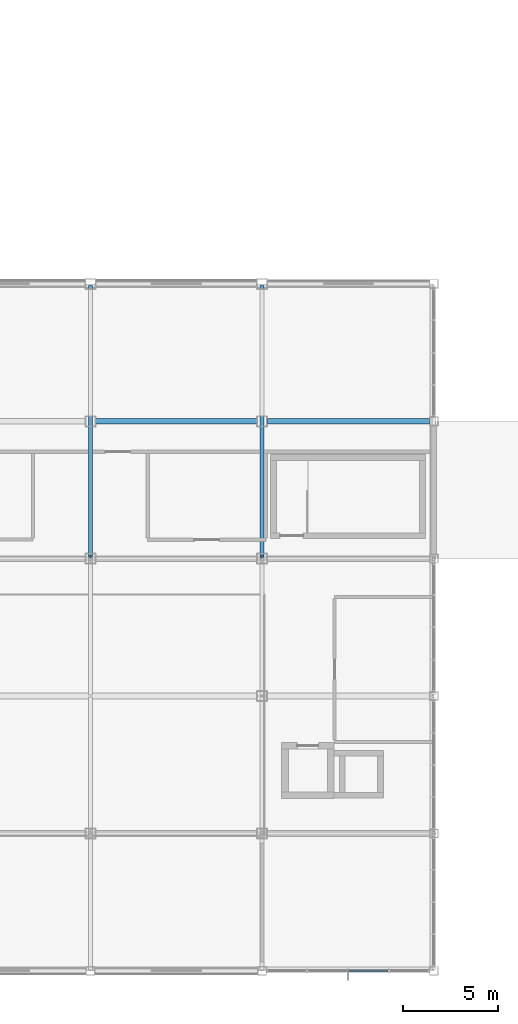
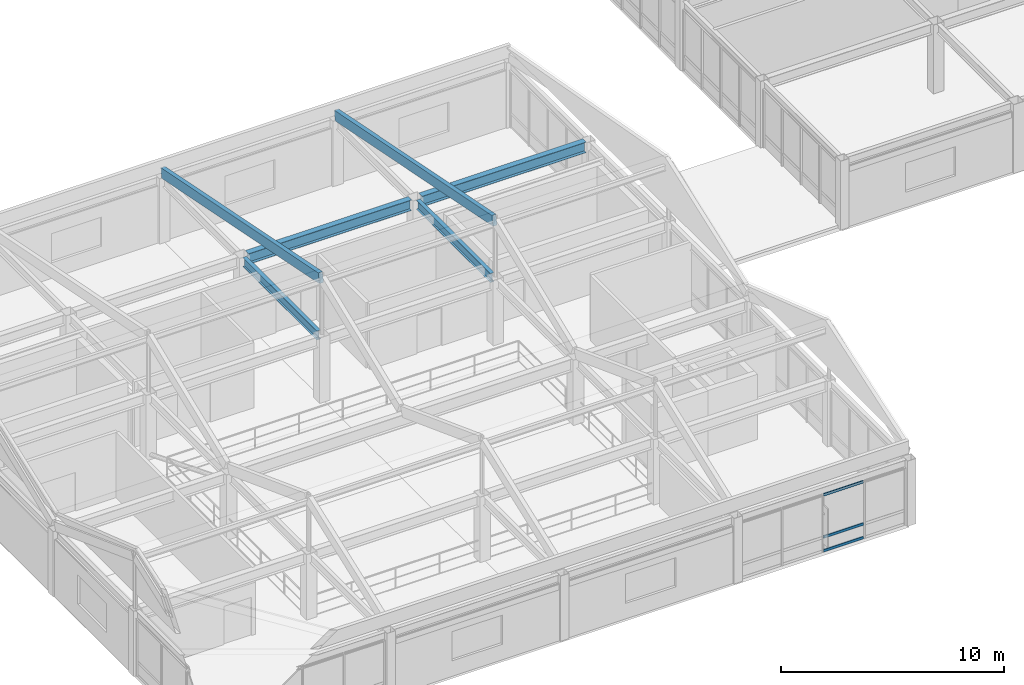
# One storey, part 20 of 113: 5 members, 4 beams, 1 element without a shape of its own.
"""IFC4 building model written with IfcOpenShell, lengths in metres."""

from ifc_helpers import new_model, si_unit, direction, frame, origin, origin_2d, place, context, subcontext, project, spatial, rectangle, hollow_rectangle, i_section, extrude, material, material_profile, profile_set, type_object, element, aggregate, save


model = new_model("IFC4")

# Units and contexts
model_context = context("Model", 3, precision=1e-05, world=origin(), true_north=direction((0.0, 1.0)))
body_context = subcontext(model_context, "Body", "Model", "MODEL_VIEW")
ifc_project = project(units=[si_unit("LENGTHUNIT", "METRE"), si_unit("AREAUNIT", "SQUARE_METRE"), si_unit("VOLUMEUNIT", "CUBIC_METRE"), si_unit("PLANEANGLEUNIT", "RADIAN"), si_unit("MASSUNIT", "GRAM", prefix="KILO")], contexts=[model_context])

# Site, building, storey
site_placement = place(None, origin())
site = spatial("IfcSite", under=ifc_project, at=site_placement, CompositionType="ELEMENT")
building_placement = place(site_placement, origin())
building = spatial("IfcBuilding", under=site, at=building_placement, Name="Kazanami Central Library", CompositionType="ELEMENT")
storey_placement = place(building_placement, frame((0.0, 0.0, 8.800048828125)))
storey = spatial("IfcBuildingStorey", under=building, at=storey_placement, Name="L03", CompositionType="ELEMENT", Elevation=8.800048828125)

# Beams
ifc_material_1 = material(Name="Steel SN490B (325 MPa)", Category="steel")
ifc_material_profile_1 = material_profile(ifc_material_1, i_section(OverallWidth=0.300048828125, OverallDepth=0.587890625, WebThickness=0.011962890625, FlangeThickness=0.02001953125, at=origin_2d()), Name="H-588x300x12x20")
ifc_profile_set_1 = profile_set([ifc_material_profile_1], Name="Steel SN490B (325 MPa)")
beam_type_1 = type_object("IfcBeamType", Name="BM-G-X2", PredefinedType="BEAM", material=ifc_profile_set_1)
beam_1_placement = place(storey_placement, frame((18.27294921875, 28.800048828125, 3.285888671875), z_axis=(1.0, 0.0, 0.0), x_axis=(0.0, 1.0, 0.0)))
element("IfcBeam", 1, at=beam_1_placement, inside=storey, type_object=beam_type_1, Name="Girder G-X2 L03 E/3-4", PredefinedType="BEAM", context=body_context, shape_type="SweptSolid", body=[
    extrude(i_section(OverallWidth=0.300048828125, OverallDepth=0.587890625, WebThickness=0.011962890625, FlangeThickness=0.02001953125, at=origin_2d()), origin(), (0.0, 0.0, 1.0), 8.4541015625),
])
beam_2_placement = place(storey_placement, frame((27.27294921875, 28.800048828125, 3.285888671875), z_axis=(1.0, 0.0, 0.0), x_axis=(0.0, 1.0, 0.0)))
element("IfcBeam", 2, at=beam_2_placement, inside=storey, type_object=beam_type_1, Name="Girder G-X2 L03 E/4-5", PredefinedType="BEAM", context=body_context, shape_type="SweptSolid", body=[
    extrude(i_section(OverallWidth=0.300048828125, OverallDepth=0.587890625, WebThickness=0.011962890625, FlangeThickness=0.02001953125, at=origin_2d()), origin(), (0.0, 0.0, 1.0), 8.504150390625),
])
ifc_material_profile_2 = material_profile(ifc_material_1, i_section(OverallWidth=0.199951171875, OverallDepth=0.5, WebThickness=0.010009765625, FlangeThickness=0.01611328125, at=origin_2d()), Name="H-500x200x10x16")
ifc_profile_set_2 = profile_set([ifc_material_profile_2], Name="Steel SN490B (325 MPa)")
beam_type_2 = type_object("IfcBeamType", Name="BM-G-Y2", PredefinedType="BEAM", material=ifc_profile_set_2)
for number, where, z_axis, x_axis, name in (
    (3, (18.0, 21.873046875, 3.329833984375), (0.0, 1.0, 0.0), (-1.0, 0.0, 0.0), "Girder G-Y2 L03 3/D-E"),
    (4, (27.0, 21.873046875, 3.329833984375), (0.0, 1.0, 0.0), (-1.0, 0.0, 0.0), "Girder G-Y2 L03 4/D-E"),
):
    element("IfcBeam", number, at=place(storey_placement, frame(where, z_axis=z_axis, x_axis=x_axis)), inside=storey, type_object=beam_type_2, Name=name, PredefinedType="BEAM", context=body_context, shape_type="SweptSolid", body=[
        extrude(i_section(OverallWidth=0.199951171875, OverallDepth=0.5, WebThickness=0.010009765625, FlangeThickness=0.01611328125, at=origin_2d()), origin(), (0.0, 0.0, 1.0), 6.654052734375),
    ])

# Curtain wall, members
ifc_material_2 = material(Name="Acid-Etched Low-E Laminated Glass", Category="glass")
curtain_wall_type = type_object("IfcCurtainWallType", Name="CW-8550x3130-M225", PredefinedType="USERDEFINED", material=ifc_material_2)
curtain_wall_placement = place(storey_placement, origin())
curtain_wall = element("IfcCurtainWall", 5, at=curtain_wall_placement, inside=storey, type_object=curtain_wall_type, Name="Unitised Curtain Wall CW-24 L03 S-A-03", ObjectType="UNITISED CURTAIN WALL", PredefinedType="USERDEFINED")
ifc_material_3 = material(Name="Anodised Aluminium A6063-T5", Category="aluminium")
ifc_material_profile_3 = material_profile(ifc_material_3, hollow_rectangle(XDim=0.06494140625, YDim=0.139892578125, WallThickness=0.00390625, at=origin_2d()), Name="ALU-TRAN-65x140x4")
ifc_profile_set_3 = profile_set([ifc_material_profile_3], Name="Anodised Aluminium A6063-T5")
member_type_1 = type_object("IfcMemberType", Name="MEM-CW-T2", PredefinedType="USERDEFINED", material=ifc_profile_set_3)
member_1_placement = place(storey_placement, frame((31.532470703125, 0.0, 0.032470703125), z_axis=(1.0, 0.0, 0.0), x_axis=(0.0, 1.0, 0.0)))
member_1 = element("IfcMember", 6, at=member_1_placement, type_object=member_type_1, Name="CW-24 transom 3.1", ObjectType="TRANSOM", PredefinedType="USERDEFINED", context=body_context, shape_type="SweptSolid", body=[
    extrude(hollow_rectangle(XDim=0.06494140625, YDim=0.139892578125, WallThickness=0.00390625, at=origin_2d()), origin(), (0.0, 0.0, 1.0), 2.072509765625),
])
member_2_placement = place(storey_placement, frame((31.532470703125, 0.0, 0.780029296875), z_axis=(1.0, 0.0, 0.0), x_axis=(0.0, 1.0, 0.0)))
member_2 = element("IfcMember", 7, at=member_2_placement, type_object=member_type_1, Name="CW-24 transom 3.2", ObjectType="TRANSOM", PredefinedType="USERDEFINED", context=body_context, shape_type="SweptSolid", body=[
    extrude(hollow_rectangle(XDim=0.06494140625, YDim=0.139892578125, WallThickness=0.00390625, at=origin_2d()), origin(), (0.0, 0.0, 1.0), 2.072509765625),
])
member_3_placement = place(storey_placement, frame((31.532470703125, 0.0, 3.097412109375), z_axis=(1.0, 0.0, 0.0), x_axis=(0.0, 1.0, 0.0)))
member_3 = element("IfcMember", 8, at=member_3_placement, type_object=member_type_1, Name="CW-24 transom 3.3", ObjectType="TRANSOM", PredefinedType="USERDEFINED", context=body_context, shape_type="SweptSolid", body=[
    extrude(hollow_rectangle(XDim=0.06494140625, YDim=0.139892578125, WallThickness=0.00390625, at=origin_2d()), origin(), (0.0, 0.0, 1.0), 2.072509765625),
])
aggregate(curtain_wall, [member_1, member_2, member_3])

# Members
ifc_material_4 = material(Name="Glulam GL28h (28 MPa)", Category="wood")
ifc_material_profile_4 = material_profile(ifc_material_4, rectangle(XDim=0.219970703125, YDim=0.5400390625, at=origin_2d()), Name="GL28h-220x540")
ifc_profile_set_4 = profile_set([ifc_material_profile_4], Name="Glulam GL28h (28 MPa)")
member_type_2 = type_object("IfcMemberType", Name="MEM-GL-01", PredefinedType="RAFTER", material=ifc_profile_set_4)
for number, where, z_axis, x_axis, name in (
    (9, (18.0, 35.85009765625, 3.780029296875), (0.0, -0.980901753573, 0.194503855583), (1.0, 0.0, 0.0), "Glulam Timber Shell Rafter GL-01 FOLD-L03-V3-N Grid 3 North"),
    (10, (27.0, 35.85009765625, 3.780029296875), (0.0, -0.980901753573, 0.194503855583), (1.0, 0.0, 0.0), "Glulam Timber Shell Rafter GL-01 FOLD-L03-V3-N Grid 4 North"),
):
    element("IfcMember", number, at=place(storey_placement, frame(where, z_axis=z_axis, x_axis=x_axis)), inside=storey, type_object=member_type_2, Name=name, PredefinedType="RAFTER", context=body_context, shape_type="SweptSolid", body=[
        extrude(rectangle(XDim=0.219970703125, YDim=0.5400390625, at=origin_2d()), origin(), (0.0, 0.0, 1.0), 14.446044921875),
    ])

save(model, "model.ifc")
